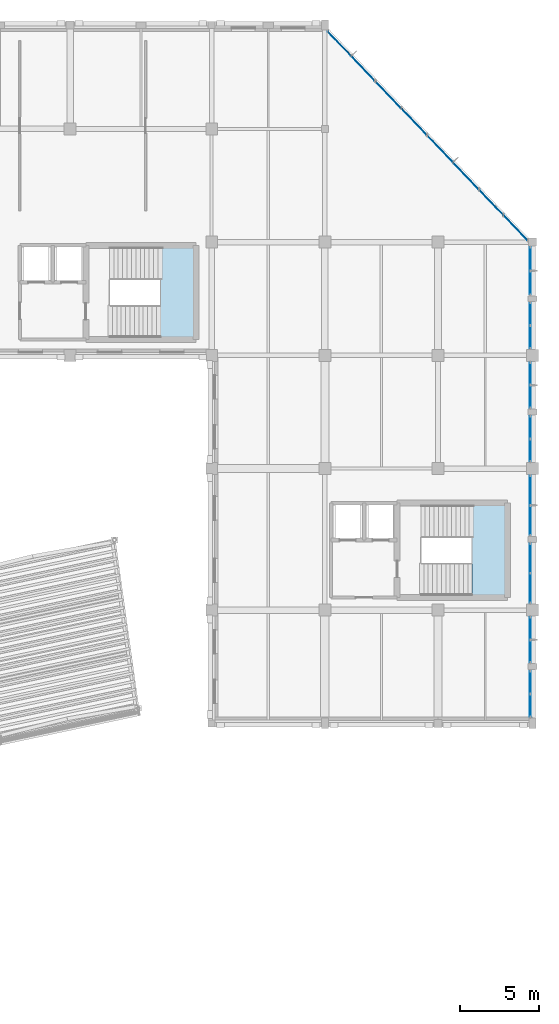
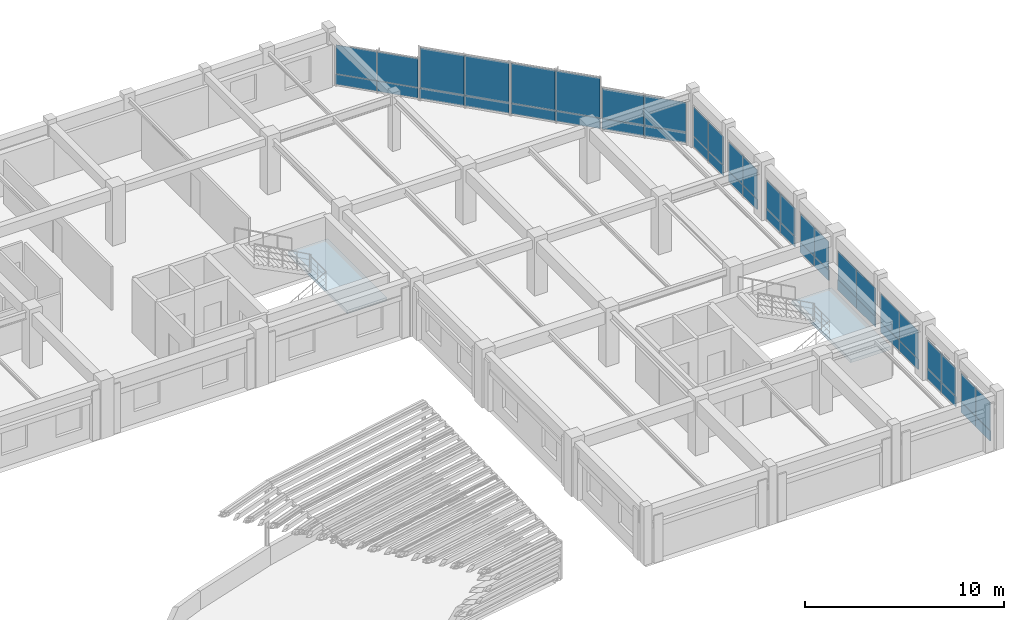
# One storey, part 43 of 74: 48 plates, 2 slabs, 14 elements without a shape of their own.
"""IFC4 building model written with IfcOpenShell, lengths in metres."""

from ifc_helpers import new_model, si_unit, direction, frame, frame_2d, origin, place, context, subcontext, project, spatial, polyline, rectangle, outline, extrude, material, layer, layer_set, type_object, element, aggregate, save


model = new_model("IFC4")

# Units and contexts
model_context = context("Model", 3, precision=1e-05, world=origin(), true_north=direction((0.0, 1.0)))
body_context = subcontext(model_context, "Body", "Model", "MODEL_VIEW")
ifc_project = project(units=[si_unit("LENGTHUNIT", "METRE"), si_unit("AREAUNIT", "SQUARE_METRE"), si_unit("VOLUMEUNIT", "CUBIC_METRE"), si_unit("PLANEANGLEUNIT", "RADIAN"), si_unit("MASSUNIT", "GRAM", prefix="KILO")], contexts=[model_context])

# Site, building, storey
site_placement = place(None, origin())
site = spatial("IfcSite", under=ifc_project, at=site_placement, CompositionType="ELEMENT")
building_placement = place(site_placement, origin())
building = spatial("IfcBuilding", under=site, at=building_placement, Name="Clarverna Civic Hall", CompositionType="ELEMENT")
storey_placement = place(building_placement, frame((0.0, 0.0, 13.199951171875)))
storey = spatial("IfcBuildingStorey", under=building, at=storey_placement, Name="L03", CompositionType="ELEMENT", Elevation=13.199951171875)

# Curtain wall, plates
ifc_material_1 = material(Name="Anodised Bronze Architectural Aluminium", Category="aluminium")
curtain_wall_type = type_object("IfcCurtainWallType", Name="CW-01", PredefinedType="USERDEFINED", material=ifc_material_1)
curtain_wall_1_placement = place(storey_placement, origin())
curtain_wall_1 = element("IfcCurtainWall", 1, at=curtain_wall_1_placement, inside=storey, type_object=curtain_wall_type, Name="CW-01-064", ObjectType="UNITISED CURTAIN WALL", PredefinedType="USERDEFINED")
ifc_material_2 = material(Name="Solar-Control Argon Low-E Double Glazing", Category="glass")
ifc_layer_1 = layer(ifc_material_2, 0.031982421875)
ifc_layer_set_1 = layer_set([ifc_layer_1], Name="Solar-Control Argon Low-E Double Glazing")
plate_type_1 = type_object("IfcPlateType", Name="CWP-01", PredefinedType="CURTAIN_PANEL", material=ifc_layer_set_1)
plate_1_placement = place(storey_placement, frame((154.988525390625, 115.600341796875, 0.76513671875), z_axis=(0.0, 0.0, 1.0), x_axis=(0.691235605717, -0.722629460643, 0.0)))
plate_1 = element("IfcPlate", 2, at=plate_1_placement, type_object=plate_type_1, Name="CWP-01-391", PredefinedType="CURTAIN_PANEL", context=body_context, shape_type="SweptSolid", body=[
    extrude(rectangle(XDim=2.138671875, YDim=0.031982421875, at=frame_2d((1.0693359375, 0.0))), origin(), (0.0, 0.0, 1.0), 1.764892578125),
])
plate_2_placement = place(storey_placement, frame((156.4873046875, 114.033203125, 0.76513671875), z_axis=(0.0, 0.0, 1.0), x_axis=(0.691235605717, -0.722629460643, 0.0)))
plate_2 = element("IfcPlate", 3, at=plate_2_placement, type_object=plate_type_1, Name="CWP-01-392", PredefinedType="CURTAIN_PANEL", context=body_context, shape_type="SweptSolid", body=[
    extrude(rectangle(XDim=2.138671875, YDim=0.031982421875, at=frame_2d((1.0693359375, 0.0))), origin(), (0.0, 0.0, 1.0), 1.764892578125),
])

curtain_wall_2_placement = place(storey_placement, origin())
curtain_wall_2 = element("IfcCurtainWall", 4, at=curtain_wall_2_placement, inside=storey, type_object=curtain_wall_type, Name="CW-01-065", ObjectType="UNITISED CURTAIN WALL", PredefinedType="USERDEFINED")
plate_3_placement = place(storey_placement, frame((158.031982421875, 112.418701171875, 0.76513671875), z_axis=(0.0, 0.0, 1.0), x_axis=(0.691174945329, -0.722687480831, 0.0)))
plate_3 = element("IfcPlate", 5, at=plate_3_placement, type_object=plate_type_1, Name="CWP-01-393", PredefinedType="CURTAIN_PANEL", context=body_context, shape_type="SweptSolid", body=[
    extrude(rectangle(XDim=2.32421875, YDim=0.031982421875, at=frame_2d((1.162109375, 0.0))), origin(), (0.0, 0.0, 1.0), 2.44482421875),
])
plate_4_placement = place(storey_placement, frame((159.6591796875, 110.71728515625, 0.76513671875), z_axis=(0.0, 0.0, 1.0), x_axis=(0.691227416228, -0.72263729426, 0.0)))
plate_4 = element("IfcPlate", 6, at=plate_4_placement, type_object=plate_type_1, Name="CWP-01-394", PredefinedType="CURTAIN_PANEL", context=body_context, shape_type="SweptSolid", body=[
    extrude(rectangle(XDim=2.323974609375, YDim=0.031982421875, at=frame_2d((1.162109375, 0.0))), origin(), (0.0, 0.0, 1.0), 2.44482421875),
])

curtain_wall_3_placement = place(storey_placement, origin())
curtain_wall_3 = element("IfcCurtainWall", 7, at=curtain_wall_3_placement, inside=storey, type_object=curtain_wall_type, Name="CW-01-066", ObjectType="UNITISED CURTAIN WALL", PredefinedType="USERDEFINED")
plate_5_placement = place(storey_placement, frame((161.33203125, 108.968505859375, 0.76513671875), z_axis=(0.0, 0.0, 1.0), x_axis=(0.691227416228, -0.72263729426, 0.0)))
plate_5 = element("IfcPlate", 8, at=plate_5_placement, type_object=plate_type_1, Name="CWP-01-395", PredefinedType="CURTAIN_PANEL", context=body_context, shape_type="SweptSolid", body=[
    extrude(rectangle(XDim=2.323974609375, YDim=0.031982421875, at=frame_2d((1.162109375, 0.0))), origin(), (0.0, 0.0, 1.0), 2.44482421875),
])
plate_6_placement = place(storey_placement, frame((162.959228515625, 107.267333984375, 0.76513671875), z_axis=(0.0, 0.0, 1.0), x_axis=(0.691227416228, -0.72263729426, 0.0)))
plate_6 = element("IfcPlate", 9, at=plate_6_placement, type_object=plate_type_1, Name="CWP-01-396", PredefinedType="CURTAIN_PANEL", context=body_context, shape_type="SweptSolid", body=[
    extrude(rectangle(XDim=2.323974609375, YDim=0.031982421875, at=frame_2d((1.162109375, 0.0))), origin(), (0.0, 0.0, 1.0), 2.44482421875),
])

curtain_wall_4_placement = place(storey_placement, origin())
curtain_wall_4 = element("IfcCurtainWall", 10, at=curtain_wall_4_placement, inside=storey, type_object=curtain_wall_type, Name="CW-01-067", ObjectType="UNITISED CURTAIN WALL", PredefinedType="USERDEFINED")
plate_7_placement = place(storey_placement, frame((164.632080078125, 105.5185546875, 0.76513671875), z_axis=(0.0, 0.0, 1.0), x_axis=(0.691194770738, -0.722668519381, 0.0)))
plate_7 = element("IfcPlate", 11, at=plate_7_placement, type_object=plate_type_1, Name="CWP-01-397", PredefinedType="CURTAIN_PANEL", context=body_context, shape_type="SweptSolid", body=[
    extrude(rectangle(XDim=2.1875, YDim=0.031982421875, at=frame_2d((1.09375, 0.0))), origin(), (0.0, 0.0, 1.0), 1.824951171875),
])
plate_8_placement = place(storey_placement, frame((166.164794921875, 103.916015625, 0.76513671875), z_axis=(0.0, 0.0, 1.0), x_axis=(0.691194770738, -0.722668519381, 0.0)))
plate_8 = element("IfcPlate", 12, at=plate_8_placement, type_object=plate_type_1, Name="CWP-01-398", PredefinedType="CURTAIN_PANEL", context=body_context, shape_type="SweptSolid", body=[
    extrude(rectangle(XDim=2.1875, YDim=0.031982421875, at=frame_2d((1.09375, 0.0))), origin(), (0.0, 0.0, 1.0), 1.824951171875),
])

curtain_wall_5_placement = place(storey_placement, origin())
curtain_wall_5 = element("IfcCurtainWall", 13, at=curtain_wall_5_placement, inside=storey, type_object=curtain_wall_type, Name="CW-01-068", ObjectType="UNITISED CURTAIN WALL", PredefinedType="USERDEFINED")
plate_9_placement = place(storey_placement, frame((167.860107421875, 101.862060546875, 0.76513671875), z_axis=(0.0, 0.0, 1.0), x_axis=(0.0, -1.0, 0.0)))
plate_9 = element("IfcPlate", 14, at=plate_9_placement, type_object=plate_type_1, Name="CWP-01-399", PredefinedType="CURTAIN_PANEL", context=body_context, shape_type="SweptSolid", body=[
    extrude(rectangle(XDim=1.47705078125, YDim=0.031982421875, at=frame_2d((0.738525390625, 0.0))), origin(), (0.0, 0.0, 1.0), 1.764892578125),
])
plate_10_placement = place(storey_placement, frame((167.860107421875, 100.35498046875, 0.76513671875), z_axis=(0.0, 0.0, 1.0), x_axis=(0.0, -1.0, 0.0)))
plate_10 = element("IfcPlate", 15, at=plate_10_placement, type_object=plate_type_1, Name="CWP-01-400", PredefinedType="CURTAIN_PANEL", context=body_context, shape_type="SweptSolid", body=[
    extrude(rectangle(XDim=1.47705078125, YDim=0.031982421875, at=frame_2d((0.738525390625, 0.0))), origin(), (0.0, 0.0, 1.0), 1.764892578125),
])

curtain_wall_6_placement = place(storey_placement, origin())
curtain_wall_6 = element("IfcCurtainWall", 16, at=curtain_wall_6_placement, inside=storey, type_object=curtain_wall_type, Name="CW-01-069", ObjectType="UNITISED CURTAIN WALL", PredefinedType="USERDEFINED")
plate_11_placement = place(storey_placement, frame((167.860107421875, 98.322021484375, 0.76513671875), z_axis=(0.0, 0.0, 1.0), x_axis=(0.0, -1.0, 0.0)))
plate_11 = element("IfcPlate", 17, at=plate_11_placement, type_object=plate_type_1, Name="CWP-01-401", PredefinedType="CURTAIN_PANEL", context=body_context, shape_type="SweptSolid", body=[
    extrude(rectangle(XDim=1.41455078125, YDim=0.031982421875, at=frame_2d((0.707275390625, 0.0))), origin(), (0.0, 0.0, 1.0), 1.764892578125),
])
plate_12_placement = place(storey_placement, frame((167.860107421875, 96.87744140625, 0.76513671875), z_axis=(0.0, 0.0, 1.0), x_axis=(0.0, -1.0, 0.0)))
plate_12 = element("IfcPlate", 18, at=plate_12_placement, type_object=plate_type_1, Name="CWP-01-402", PredefinedType="CURTAIN_PANEL", context=body_context, shape_type="SweptSolid", body=[
    extrude(rectangle(XDim=1.41455078125, YDim=0.031982421875, at=frame_2d((0.707275390625, 0.0))), origin(), (0.0, 0.0, 1.0), 1.764892578125),
])

curtain_wall_7_placement = place(storey_placement, origin())
curtain_wall_7 = element("IfcCurtainWall", 19, at=curtain_wall_7_placement, inside=storey, type_object=curtain_wall_type, Name="CW-01-070", ObjectType="UNITISED CURTAIN WALL", PredefinedType="USERDEFINED")
plate_13_placement = place(storey_placement, frame((167.860107421875, 94.537109375, 0.76513671875), z_axis=(0.0, 0.0, 1.0), x_axis=(0.0, -1.0, 0.0)))
plate_13 = element("IfcPlate", 20, at=plate_13_placement, type_object=plate_type_1, Name="CWP-01-403", PredefinedType="CURTAIN_PANEL", context=body_context, shape_type="SweptSolid", body=[
    extrude(rectangle(XDim=1.41455078125, YDim=0.031982421875, at=frame_2d((0.707275390625, 0.0))), origin(), (0.0, 0.0, 1.0), 1.724853515625),
])
plate_14_placement = place(storey_placement, frame((167.860107421875, 93.092529296875, 0.76513671875), z_axis=(0.0, 0.0, 1.0), x_axis=(0.0, -1.0, 0.0)))
plate_14 = element("IfcPlate", 21, at=plate_14_placement, type_object=plate_type_1, Name="CWP-01-404", PredefinedType="CURTAIN_PANEL", context=body_context, shape_type="SweptSolid", body=[
    extrude(rectangle(XDim=1.41455078125, YDim=0.031982421875, at=frame_2d((0.707275390625, 0.0))), origin(), (0.0, 0.0, 1.0), 1.724853515625),
])

curtain_wall_8_placement = place(storey_placement, origin())
curtain_wall_8 = element("IfcCurtainWall", 22, at=curtain_wall_8_placement, inside=storey, type_object=curtain_wall_type, Name="CW-01-071", ObjectType="UNITISED CURTAIN WALL", PredefinedType="USERDEFINED")
plate_15_placement = place(storey_placement, frame((167.860107421875, 91.1220703125, 0.76513671875), z_axis=(0.0, 0.0, 1.0), x_axis=(0.0, -1.0, 0.0)))
plate_15 = element("IfcPlate", 23, at=plate_15_placement, type_object=plate_type_1, Name="CWP-01-405", PredefinedType="CURTAIN_PANEL", context=body_context, shape_type="SweptSolid", body=[
    extrude(rectangle(XDim=1.41455078125, YDim=0.031982421875, at=frame_2d((0.707275390625, 0.0))), origin(), (0.0, 0.0, 1.0), 1.724853515625),
])
plate_16_placement = place(storey_placement, frame((167.860107421875, 89.677490234375, 0.76513671875), z_axis=(0.0, 0.0, 1.0), x_axis=(0.0, -1.0, 0.0)))
plate_16 = element("IfcPlate", 24, at=plate_16_placement, type_object=plate_type_1, Name="CWP-01-406", PredefinedType="CURTAIN_PANEL", context=body_context, shape_type="SweptSolid", body=[
    extrude(rectangle(XDim=1.41455078125, YDim=0.031982421875, at=frame_2d((0.707275390625, 0.0))), origin(), (0.0, 0.0, 1.0), 1.724853515625),
])

curtain_wall_9_placement = place(storey_placement, origin())
curtain_wall_9 = element("IfcCurtainWall", 25, at=curtain_wall_9_placement, inside=storey, type_object=curtain_wall_type, Name="CW-01-072", ObjectType="UNITISED CURTAIN WALL", PredefinedType="USERDEFINED")
plate_17_placement = place(storey_placement, frame((167.860107421875, 87.3369140625, 0.76513671875), z_axis=(0.0, 0.0, 1.0), x_axis=(0.0, -1.0, 0.0)))
plate_17 = element("IfcPlate", 26, at=plate_17_placement, type_object=plate_type_1, Name="CWP-01-407", PredefinedType="CURTAIN_PANEL", context=body_context, shape_type="SweptSolid", body=[
    extrude(rectangle(XDim=1.864501953125, YDim=0.031982421875, at=frame_2d((0.93212890625, 0.0))), origin(), (0.0, 0.0, 1.0), 1.724853515625),
])
plate_18_placement = place(storey_placement, frame((167.860107421875, 85.4423828125, 0.76513671875), z_axis=(0.0, 0.0, 1.0), x_axis=(0.0, -1.0, 0.0)))
plate_18 = element("IfcPlate", 27, at=plate_18_placement, type_object=plate_type_1, Name="CWP-01-408", PredefinedType="CURTAIN_PANEL", context=body_context, shape_type="SweptSolid", body=[
    extrude(rectangle(XDim=1.864501953125, YDim=0.031982421875, at=frame_2d((0.93212890625, 0.0))), origin(), (0.0, 0.0, 1.0), 1.724853515625),
])

curtain_wall_10_placement = place(storey_placement, origin())
curtain_wall_10 = element("IfcCurtainWall", 28, at=curtain_wall_10_placement, inside=storey, type_object=curtain_wall_type, Name="CW-01-073", ObjectType="UNITISED CURTAIN WALL", PredefinedType="USERDEFINED")
plate_19_placement = place(storey_placement, frame((167.860107421875, 83.02197265625, 0.76513671875), z_axis=(0.0, 0.0, 1.0), x_axis=(0.0, -1.0, 0.0)))
plate_19 = element("IfcPlate", 29, at=plate_19_placement, type_object=plate_type_1, Name="CWP-01-409", PredefinedType="CURTAIN_PANEL", context=body_context, shape_type="SweptSolid", body=[
    extrude(rectangle(XDim=1.864501953125, YDim=0.031982421875, at=frame_2d((0.93212890625, 0.0))), origin(), (0.0, 0.0, 1.0), 1.724853515625),
])
plate_20_placement = place(storey_placement, frame((167.860107421875, 81.12744140625, 0.76513671875), z_axis=(0.0, 0.0, 1.0), x_axis=(0.0, -1.0, 0.0)))
plate_20 = element("IfcPlate", 30, at=plate_20_placement, type_object=plate_type_1, Name="CWP-01-410", PredefinedType="CURTAIN_PANEL", context=body_context, shape_type="SweptSolid", body=[
    extrude(rectangle(XDim=1.864501953125, YDim=0.031982421875, at=frame_2d((0.93212890625, 0.0))), origin(), (0.0, 0.0, 1.0), 1.724853515625),
])

curtain_wall_11_placement = place(storey_placement, origin())
curtain_wall_11 = element("IfcCurtainWall", 31, at=curtain_wall_11_placement, inside=storey, type_object=curtain_wall_type, Name="CW-01-074", ObjectType="UNITISED CURTAIN WALL", PredefinedType="USERDEFINED")
plate_21_placement = place(storey_placement, frame((167.860107421875, 78.3369140625, 0.76513671875), z_axis=(0.0, 0.0, 1.0), x_axis=(0.0, -1.0, 0.0)))
plate_21 = element("IfcPlate", 32, at=plate_21_placement, type_object=plate_type_1, Name="CWP-01-411", PredefinedType="CURTAIN_PANEL", context=body_context, shape_type="SweptSolid", body=[
    extrude(rectangle(XDim=1.414306640625, YDim=0.031982421875, at=frame_2d((0.70703125, 0.0))), origin(), (0.0, 0.0, 1.0), 1.724853515625),
])
plate_22_placement = place(storey_placement, frame((167.860107421875, 76.892578125, 0.76513671875), z_axis=(0.0, 0.0, 1.0), x_axis=(0.0, -1.0, 0.0)))
plate_22 = element("IfcPlate", 33, at=plate_22_placement, type_object=plate_type_1, Name="CWP-01-412", PredefinedType="CURTAIN_PANEL", context=body_context, shape_type="SweptSolid", body=[
    extrude(rectangle(XDim=1.41455078125, YDim=0.031982421875, at=frame_2d((0.707275390625, 0.0))), origin(), (0.0, 0.0, 1.0), 1.724853515625),
])

curtain_wall_12_placement = place(storey_placement, origin())
curtain_wall_12 = element("IfcCurtainWall", 34, at=curtain_wall_12_placement, inside=storey, type_object=curtain_wall_type, Name="CW-01-075", ObjectType="UNITISED CURTAIN WALL", PredefinedType="USERDEFINED")
plate_23_placement = place(storey_placement, frame((167.860107421875, 74.922119140625, 0.76513671875), z_axis=(0.0, 0.0, 1.0), x_axis=(0.0, -1.0, 0.0)))
plate_23 = element("IfcPlate", 35, at=plate_23_placement, type_object=plate_type_1, Name="CWP-01-413", PredefinedType="CURTAIN_PANEL", context=body_context, shape_type="SweptSolid", body=[
    extrude(rectangle(XDim=1.439697265625, YDim=0.031982421875, at=frame_2d((0.7197265625, 0.0))), origin(), (0.0, 0.0, 1.0), 1.724853515625),
])
plate_24_placement = place(storey_placement, frame((167.860107421875, 73.452392578125, 0.76513671875), z_axis=(0.0, 0.0, 1.0), x_axis=(0.0, -1.0, 0.0)))
plate_24 = element("IfcPlate", 36, at=plate_24_placement, type_object=plate_type_1, Name="CWP-01-414", PredefinedType="CURTAIN_PANEL", context=body_context, shape_type="SweptSolid", body=[
    extrude(rectangle(XDim=1.439453125, YDim=0.031982421875, at=frame_2d((0.7197265625, 0.0))), origin(), (0.0, 0.0, 1.0), 1.724853515625),
])

# Plate
ifc_material_3 = material(Name="Insulated Anodised Bronze Spandrel Panel", Category="aluminium")
ifc_layer_2 = layer(ifc_material_3, 0.048095703125)
ifc_layer_set_2 = layer_set([ifc_layer_2], Name="Insulated Anodised Bronze Spandrel Panel")
plate_type_2 = type_object("IfcPlateType", Name="CWP-03", PredefinedType="CURTAIN_PANEL", material=ifc_layer_set_2)
plate_25_placement = place(storey_placement, frame((154.988525390625, 115.600341796875, 0.110107421875), z_axis=(0.0, 0.0, 1.0), x_axis=(0.691235605717, -0.722629460643, 0.0)))
plate_25 = element("IfcPlate", 37, at=plate_25_placement, type_object=plate_type_2, Name="CWP-03-393", PredefinedType="CURTAIN_PANEL", context=body_context, shape_type="SweptSolid", body=[
    extrude(rectangle(XDim=2.138671875, YDim=0.048095703125, at=frame_2d((1.0693359375, 0.0))), origin(), (0.0, 0.0, 1.0), 0.625),
])

plate_26_placement = place(storey_placement, frame((156.4873046875, 114.033203125, 0.110107421875), z_axis=(0.0, 0.0, 1.0), x_axis=(0.691235605717, -0.722629460643, 0.0)))
plate_26 = element("IfcPlate", 38, at=plate_26_placement, type_object=plate_type_2, Name="CWP-03-394", PredefinedType="CURTAIN_PANEL", context=body_context, shape_type="SweptSolid", body=[
    extrude(rectangle(XDim=2.138671875, YDim=0.048095703125, at=frame_2d((1.0693359375, 0.0))), origin(), (0.0, 0.0, 1.0), 0.625),
])

aggregate(curtain_wall_1, [plate_25, plate_1, plate_26, plate_2])

plate_27_placement = place(storey_placement, frame((158.031982421875, 112.418701171875, 0.110107421875), z_axis=(0.0, 0.0, 1.0), x_axis=(0.691174945329, -0.722687480831, 0.0)))
plate_27 = element("IfcPlate", 39, at=plate_27_placement, type_object=plate_type_2, Name="CWP-03-395", PredefinedType="CURTAIN_PANEL", context=body_context, shape_type="SweptSolid", body=[
    extrude(rectangle(XDim=2.32421875, YDim=0.048095703125, at=frame_2d((1.162109375, 0.0))), origin(), (0.0, 0.0, 1.0), 0.625),
])

plate_28_placement = place(storey_placement, frame((159.6591796875, 110.71728515625, 0.110107421875), z_axis=(0.0, 0.0, 1.0), x_axis=(0.691227416228, -0.72263729426, 0.0)))
plate_28 = element("IfcPlate", 40, at=plate_28_placement, type_object=plate_type_2, Name="CWP-03-396", PredefinedType="CURTAIN_PANEL", context=body_context, shape_type="SweptSolid", body=[
    extrude(rectangle(XDim=2.323974609375, YDim=0.048095703125, at=frame_2d((1.162109375, 0.0))), origin(), (0.0, 0.0, 1.0), 0.625),
])

aggregate(curtain_wall_2, [plate_27, plate_3, plate_28, plate_4])

plate_29_placement = place(storey_placement, frame((161.33203125, 108.968505859375, 0.110107421875), z_axis=(0.0, 0.0, 1.0), x_axis=(0.691227416228, -0.72263729426, 0.0)))
plate_29 = element("IfcPlate", 41, at=plate_29_placement, type_object=plate_type_2, Name="CWP-03-397", PredefinedType="CURTAIN_PANEL", context=body_context, shape_type="SweptSolid", body=[
    extrude(rectangle(XDim=2.323974609375, YDim=0.048095703125, at=frame_2d((1.162109375, 0.0))), origin(), (0.0, 0.0, 1.0), 0.625),
])

plate_30_placement = place(storey_placement, frame((162.959228515625, 107.267333984375, 0.110107421875), z_axis=(0.0, 0.0, 1.0), x_axis=(0.691227416228, -0.72263729426, 0.0)))
plate_30 = element("IfcPlate", 42, at=plate_30_placement, type_object=plate_type_2, Name="CWP-03-398", PredefinedType="CURTAIN_PANEL", context=body_context, shape_type="SweptSolid", body=[
    extrude(rectangle(XDim=2.323974609375, YDim=0.048095703125, at=frame_2d((1.162109375, 0.0))), origin(), (0.0, 0.0, 1.0), 0.625),
])

aggregate(curtain_wall_3, [plate_29, plate_5, plate_30, plate_6])

plate_31_placement = place(storey_placement, frame((164.632080078125, 105.5185546875, 0.110107421875), z_axis=(0.0, 0.0, 1.0), x_axis=(0.691194770738, -0.722668519381, 0.0)))
plate_31 = element("IfcPlate", 43, at=plate_31_placement, type_object=plate_type_2, Name="CWP-03-399", PredefinedType="CURTAIN_PANEL", context=body_context, shape_type="SweptSolid", body=[
    extrude(rectangle(XDim=2.1875, YDim=0.048095703125, at=frame_2d((1.09375, 0.0))), origin(), (0.0, 0.0, 1.0), 0.625),
])

plate_32_placement = place(storey_placement, frame((166.164794921875, 103.916015625, 0.110107421875), z_axis=(0.0, 0.0, 1.0), x_axis=(0.691194770738, -0.722668519381, 0.0)))
plate_32 = element("IfcPlate", 44, at=plate_32_placement, type_object=plate_type_2, Name="CWP-03-400", PredefinedType="CURTAIN_PANEL", context=body_context, shape_type="SweptSolid", body=[
    extrude(rectangle(XDim=2.1875, YDim=0.048095703125, at=frame_2d((1.09375, 0.0))), origin(), (0.0, 0.0, 1.0), 0.625),
])

aggregate(curtain_wall_4, [plate_31, plate_7, plate_32, plate_8])

plate_33_placement = place(storey_placement, frame((167.860107421875, 101.862060546875, 0.110107421875), z_axis=(0.0, 0.0, 1.0), x_axis=(0.0, -1.0, 0.0)))
plate_33 = element("IfcPlate", 45, at=plate_33_placement, type_object=plate_type_2, Name="CWP-03-401", PredefinedType="CURTAIN_PANEL", context=body_context, shape_type="SweptSolid", body=[
    extrude(rectangle(XDim=1.47705078125, YDim=0.048095703125, at=frame_2d((0.738525390625, 0.0))), origin(), (0.0, 0.0, 1.0), 0.625),
])

plate_34_placement = place(storey_placement, frame((167.860107421875, 100.35498046875, 0.110107421875), z_axis=(0.0, 0.0, 1.0), x_axis=(0.0, -1.0, 0.0)))
plate_34 = element("IfcPlate", 46, at=plate_34_placement, type_object=plate_type_2, Name="CWP-03-402", PredefinedType="CURTAIN_PANEL", context=body_context, shape_type="SweptSolid", body=[
    extrude(rectangle(XDim=1.47705078125, YDim=0.048095703125, at=frame_2d((0.738525390625, 0.0))), origin(), (0.0, 0.0, 1.0), 0.625),
])

aggregate(curtain_wall_5, [plate_33, plate_9, plate_34, plate_10])

plate_35_placement = place(storey_placement, frame((167.860107421875, 98.322021484375, 0.110107421875), z_axis=(0.0, 0.0, 1.0), x_axis=(0.0, -1.0, 0.0)))
plate_35 = element("IfcPlate", 47, at=plate_35_placement, type_object=plate_type_2, Name="CWP-03-403", PredefinedType="CURTAIN_PANEL", context=body_context, shape_type="SweptSolid", body=[
    extrude(rectangle(XDim=1.41455078125, YDim=0.048095703125, at=frame_2d((0.707275390625, 0.0))), origin(), (0.0, 0.0, 1.0), 0.625),
])

plate_36_placement = place(storey_placement, frame((167.860107421875, 96.87744140625, 0.110107421875), z_axis=(0.0, 0.0, 1.0), x_axis=(0.0, -1.0, 0.0)))
plate_36 = element("IfcPlate", 48, at=plate_36_placement, type_object=plate_type_2, Name="CWP-03-404", PredefinedType="CURTAIN_PANEL", context=body_context, shape_type="SweptSolid", body=[
    extrude(rectangle(XDim=1.41455078125, YDim=0.048095703125, at=frame_2d((0.707275390625, 0.0))), origin(), (0.0, 0.0, 1.0), 0.625),
])

aggregate(curtain_wall_6, [plate_35, plate_11, plate_36, plate_12])

plate_37_placement = place(storey_placement, frame((167.860107421875, 94.537109375, 0.110107421875), z_axis=(0.0, 0.0, 1.0), x_axis=(0.0, -1.0, 0.0)))
plate_37 = element("IfcPlate", 49, at=plate_37_placement, type_object=plate_type_2, Name="CWP-03-405", PredefinedType="CURTAIN_PANEL", context=body_context, shape_type="SweptSolid", body=[
    extrude(rectangle(XDim=1.41455078125, YDim=0.048095703125, at=frame_2d((0.707275390625, 0.0))), origin(), (0.0, 0.0, 1.0), 0.625),
])

plate_38_placement = place(storey_placement, frame((167.860107421875, 93.092529296875, 0.110107421875), z_axis=(0.0, 0.0, 1.0), x_axis=(0.0, -1.0, 0.0)))
plate_38 = element("IfcPlate", 50, at=plate_38_placement, type_object=plate_type_2, Name="CWP-03-406", PredefinedType="CURTAIN_PANEL", context=body_context, shape_type="SweptSolid", body=[
    extrude(rectangle(XDim=1.41455078125, YDim=0.048095703125, at=frame_2d((0.707275390625, 0.0))), origin(), (0.0, 0.0, 1.0), 0.625),
])

aggregate(curtain_wall_7, [plate_37, plate_13, plate_38, plate_14])

plate_39_placement = place(storey_placement, frame((167.860107421875, 91.1220703125, 0.110107421875), z_axis=(0.0, 0.0, 1.0), x_axis=(0.0, -1.0, 0.0)))
plate_39 = element("IfcPlate", 51, at=plate_39_placement, type_object=plate_type_2, Name="CWP-03-407", PredefinedType="CURTAIN_PANEL", context=body_context, shape_type="SweptSolid", body=[
    extrude(rectangle(XDim=1.41455078125, YDim=0.048095703125, at=frame_2d((0.707275390625, 0.0))), origin(), (0.0, 0.0, 1.0), 0.625),
])

plate_40_placement = place(storey_placement, frame((167.860107421875, 89.677490234375, 0.110107421875), z_axis=(0.0, 0.0, 1.0), x_axis=(0.0, -1.0, 0.0)))
plate_40 = element("IfcPlate", 52, at=plate_40_placement, type_object=plate_type_2, Name="CWP-03-408", PredefinedType="CURTAIN_PANEL", context=body_context, shape_type="SweptSolid", body=[
    extrude(rectangle(XDim=1.41455078125, YDim=0.048095703125, at=frame_2d((0.707275390625, 0.0))), origin(), (0.0, 0.0, 1.0), 0.625),
])

aggregate(curtain_wall_8, [plate_39, plate_15, plate_40, plate_16])

plate_41_placement = place(storey_placement, frame((167.860107421875, 87.3369140625, 0.110107421875), z_axis=(0.0, 0.0, 1.0), x_axis=(0.0, -1.0, 0.0)))
plate_41 = element("IfcPlate", 53, at=plate_41_placement, type_object=plate_type_2, Name="CWP-03-409", PredefinedType="CURTAIN_PANEL", context=body_context, shape_type="SweptSolid", body=[
    extrude(rectangle(XDim=1.864501953125, YDim=0.048095703125, at=frame_2d((0.93212890625, 0.0))), origin(), (0.0, 0.0, 1.0), 0.625),
])

plate_42_placement = place(storey_placement, frame((167.860107421875, 85.4423828125, 0.110107421875), z_axis=(0.0, 0.0, 1.0), x_axis=(0.0, -1.0, 0.0)))
plate_42 = element("IfcPlate", 54, at=plate_42_placement, type_object=plate_type_2, Name="CWP-03-410", PredefinedType="CURTAIN_PANEL", context=body_context, shape_type="SweptSolid", body=[
    extrude(rectangle(XDim=1.864501953125, YDim=0.048095703125, at=frame_2d((0.93212890625, 0.0))), origin(), (0.0, 0.0, 1.0), 0.625),
])

aggregate(curtain_wall_9, [plate_41, plate_17, plate_42, plate_18])

plate_43_placement = place(storey_placement, frame((167.860107421875, 83.02197265625, 0.110107421875), z_axis=(0.0, 0.0, 1.0), x_axis=(0.0, -1.0, 0.0)))
plate_43 = element("IfcPlate", 55, at=plate_43_placement, type_object=plate_type_2, Name="CWP-03-411", PredefinedType="CURTAIN_PANEL", context=body_context, shape_type="SweptSolid", body=[
    extrude(rectangle(XDim=1.864501953125, YDim=0.048095703125, at=frame_2d((0.93212890625, 0.0))), origin(), (0.0, 0.0, 1.0), 0.625),
])

plate_44_placement = place(storey_placement, frame((167.860107421875, 81.12744140625, 0.110107421875), z_axis=(0.0, 0.0, 1.0), x_axis=(0.0, -1.0, 0.0)))
plate_44 = element("IfcPlate", 56, at=plate_44_placement, type_object=plate_type_2, Name="CWP-03-412", PredefinedType="CURTAIN_PANEL", context=body_context, shape_type="SweptSolid", body=[
    extrude(rectangle(XDim=1.864501953125, YDim=0.048095703125, at=frame_2d((0.93212890625, 0.0))), origin(), (0.0, 0.0, 1.0), 0.625),
])

aggregate(curtain_wall_10, [plate_43, plate_19, plate_44, plate_20])

plate_45_placement = place(storey_placement, frame((167.860107421875, 78.3369140625, 0.110107421875), z_axis=(0.0, 0.0, 1.0), x_axis=(0.0, -1.0, 0.0)))
plate_45 = element("IfcPlate", 57, at=plate_45_placement, type_object=plate_type_2, Name="CWP-03-413", PredefinedType="CURTAIN_PANEL", context=body_context, shape_type="SweptSolid", body=[
    extrude(rectangle(XDim=1.414306640625, YDim=0.048095703125, at=frame_2d((0.70703125, 0.0))), origin(), (0.0, 0.0, 1.0), 0.625),
])

plate_46_placement = place(storey_placement, frame((167.860107421875, 76.892578125, 0.110107421875), z_axis=(0.0, 0.0, 1.0), x_axis=(0.0, -1.0, 0.0)))
plate_46 = element("IfcPlate", 58, at=plate_46_placement, type_object=plate_type_2, Name="CWP-03-414", PredefinedType="CURTAIN_PANEL", context=body_context, shape_type="SweptSolid", body=[
    extrude(rectangle(XDim=1.41455078125, YDim=0.048095703125, at=frame_2d((0.707275390625, 0.0))), origin(), (0.0, 0.0, 1.0), 0.625),
])

aggregate(curtain_wall_11, [plate_45, plate_21, plate_46, plate_22])

plate_47_placement = place(storey_placement, frame((167.860107421875, 74.922119140625, 0.110107421875), z_axis=(0.0, 0.0, 1.0), x_axis=(0.0, -1.0, 0.0)))
plate_47 = element("IfcPlate", 59, at=plate_47_placement, type_object=plate_type_2, Name="CWP-03-415", PredefinedType="CURTAIN_PANEL", context=body_context, shape_type="SweptSolid", body=[
    extrude(rectangle(XDim=1.439697265625, YDim=0.048095703125, at=frame_2d((0.7197265625, 0.0))), origin(), (0.0, 0.0, 1.0), 0.625),
])

plate_48_placement = place(storey_placement, frame((167.860107421875, 73.452392578125, 0.110107421875), z_axis=(0.0, 0.0, 1.0), x_axis=(0.0, -1.0, 0.0)))
plate_48 = element("IfcPlate", 60, at=plate_48_placement, type_object=plate_type_2, Name="CWP-03-416", PredefinedType="CURTAIN_PANEL", context=body_context, shape_type="SweptSolid", body=[
    extrude(rectangle(XDim=1.439453125, YDim=0.048095703125, at=frame_2d((0.7197265625, 0.0))), origin(), (0.0, 0.0, 1.0), 0.625),
])

aggregate(curtain_wall_12, [plate_47, plate_23, plate_48, plate_24])

# Stair, slab
ifc_material_4 = material(Name="Concrete C30/37", Category="concrete")
stair_type = type_object("IfcStairType", Name="ST-H1", PredefinedType="HALF_TURN_STAIR", material=ifc_material_4)
stair_1_placement = place(storey_placement, origin())
stair_1 = element("IfcStair", 61, at=stair_1_placement, inside=storey, type_object=stair_type, Name="ST-H1:L03:0003", PredefinedType="HALF_TURN_STAIR")
ifc_layer_3 = layer(ifc_material_4, 0.199951171875)
ifc_layer_set_3 = layer_set([ifc_layer_3], Name="Concrete C30/37")
slab_type = type_object("IfcSlabType", Name="SL-LD1", PredefinedType="LANDING", material=ifc_layer_set_3)
slab_1_placement = place(storey_placement, frame((0.0, 0.0, 1.60009765625)))
slab_1 = element("IfcSlab", 62, at=slab_1_placement, type_object=slab_type, Name="SL-LD1-005", PredefinedType="LANDING", context=body_context, shape_type="SweptSolid", body=[
    extrude(outline(polyline([(144.340087890625, 96.02001953125), (146.64990234375, 96.02001953125), (146.64990234375, 101.97998046875), (144.340087890625, 101.97998046875), (144.340087890625, 96.02001953125)])), origin(), (0.0, 0.0, 1.0), 0.199951171875),
])
aggregate(stair_1, [slab_1])

stair_2_placement = place(storey_placement, origin())
stair_2 = element("IfcStair", 63, at=stair_2_placement, inside=storey, type_object=stair_type, Name="ST-H1:L03:0009", PredefinedType="HALF_TURN_STAIR")
slab_2_placement = place(storey_placement, frame((0.0, 0.0, 1.60009765625)))
slab_2 = element("IfcSlab", 64, at=slab_2_placement, type_object=slab_type, Name="SL-LD1-013", PredefinedType="LANDING", context=body_context, shape_type="SweptSolid", body=[
    extrude(outline(polyline([(164.139892578125, 79.6201171875), (166.449951171875, 79.6201171875), (166.449951171875, 85.580078125), (164.139892578125, 85.580078125), (164.139892578125, 79.6201171875)])), origin(), (0.0, 0.0, 1.0), 0.199951171875),
])
aggregate(stair_2, [slab_2])

save(model, "model.ifc")
